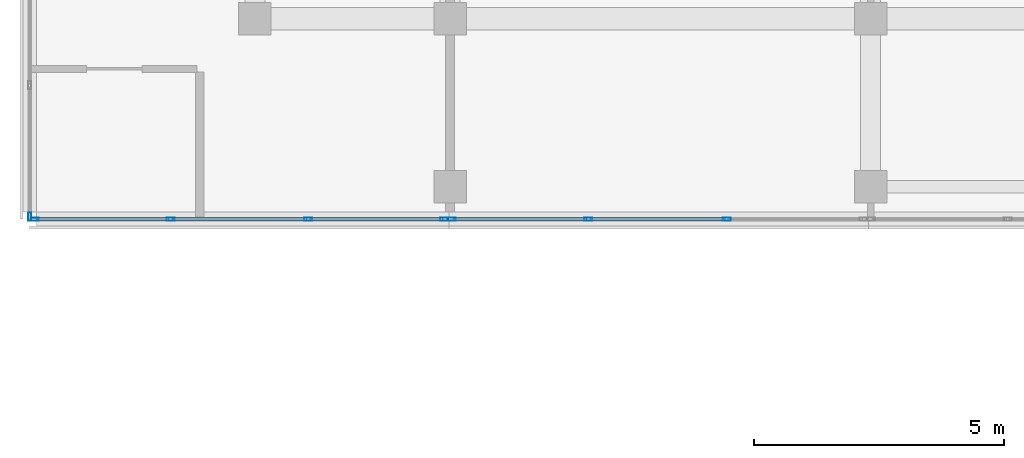
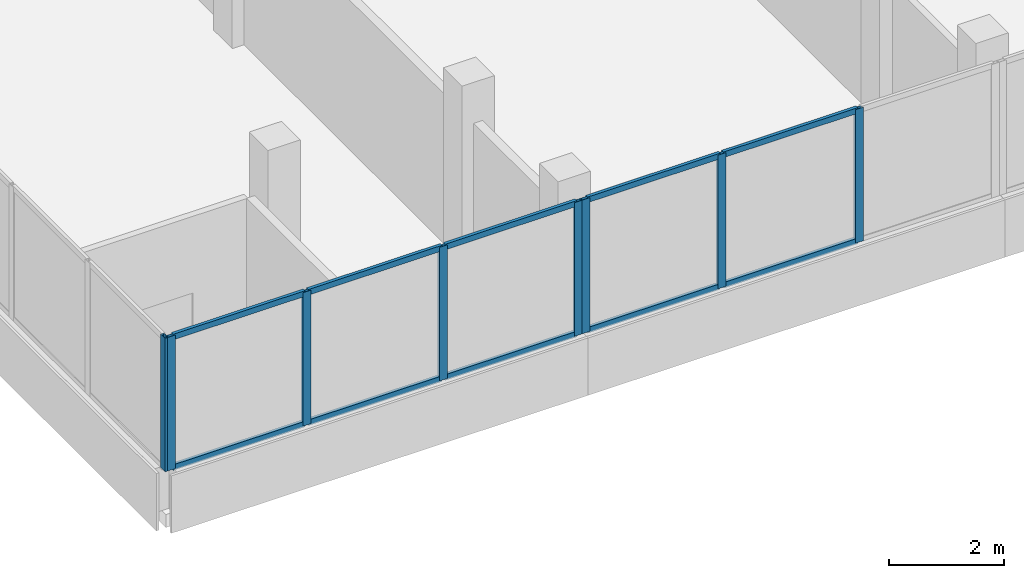
# One storey, part 2 of 76: 18 members, 3 elements without a shape of their own.
"""IFC4 building model written with IfcOpenShell, lengths in metres."""

from ifc_helpers import new_model, si_unit, direction, frame, origin, origin_2d, place, context, subcontext, project, spatial, hollow_rectangle, extrude, material, material_profile, profile_set, type_object, element, aggregate, save


model = new_model("IFC4")

# Units and contexts
model_context = context("Model", 3, precision=1e-05, world=origin(), true_north=direction((0.0, 1.0)))
body_context = subcontext(model_context, "Body", "Model", "MODEL_VIEW")
ifc_project = project(units=[si_unit("LENGTHUNIT", "METRE"), si_unit("AREAUNIT", "SQUARE_METRE"), si_unit("VOLUMEUNIT", "CUBIC_METRE"), si_unit("PLANEANGLEUNIT", "RADIAN"), si_unit("MASSUNIT", "GRAM", prefix="KILO")], contexts=[model_context])

# Site, building, storey
site_placement = place(None, origin())
site = spatial("IfcSite", under=ifc_project, at=site_placement, CompositionType="ELEMENT")
building_placement = place(site_placement, origin())
building = spatial("IfcBuilding", under=site, at=building_placement, Name="Selatvlak General Hospital", CompositionType="ELEMENT")
storey_placement = place(building_placement, frame((0.0, 0.0, 27.300048828125)))
storey = spatial("IfcBuildingStorey", under=building, at=storey_placement, Name="L06", CompositionType="ELEMENT", Elevation=27.300048828125)

# Curtain wall, member
ifc_material_1 = material(Name="Solar-control Low-E double glazing", Category="glass")
curtain_wall_type_1 = type_object("IfcCurtainWallType", Name="CW-CW-02", PredefinedType="USERDEFINED", material=ifc_material_1)
curtain_wall_1_placement = place(storey_placement, origin())
curtain_wall_1 = element("IfcCurtainWall", 1, at=curtain_wall_1_placement, inside=storey, type_object=curtain_wall_type_1, Name="Glazed facade curtain wall CW-L06-0594", ObjectType="UNITISED CURTAIN WALL", PredefinedType="USERDEFINED")
ifc_material_2 = material(Name="Dark anodised aluminium mullion", Category="aluminium")
ifc_material_profile_1 = material_profile(ifc_material_2, hollow_rectangle(XDim=0.06494140625, YDim=0.159912109375, WallThickness=0.00390625, at=origin_2d()), Name="AL-MUL 65x160x4")
ifc_profile_set_1 = profile_set([ifc_material_profile_1], Name="Dark anodised aluminium mullion")
member_type_1 = type_object("IfcMemberType", Name="CWM-01", PredefinedType="MULLION", material=ifc_profile_set_1)
member_1_placement = place(storey_placement, frame((22.800048828125, 88.047607421875, 0.93994140625), z_axis=(0.0, 0.0, 1.0), x_axis=(-1.0, 0.0, 0.0)))
member_1 = element("IfcMember", 2, at=member_1_placement, type_object=member_type_1, Name="CW-02 mullion 1", PredefinedType="MULLION", context=body_context, shape_type="SweptSolid", body=[
    extrude(hollow_rectangle(XDim=0.06494140625, YDim=0.159912109375, WallThickness=0.00390625, at=origin_2d()), origin(), (0.0, 0.0, 1.0), 2.840087890625),
])
aggregate(curtain_wall_1, [member_1])

# Curtain wall, members
curtain_wall_type_2 = type_object("IfcCurtainWallType", Name="CW-CW-01", PredefinedType="USERDEFINED", material=ifc_material_1)
curtain_wall_2_placement = place(storey_placement, origin())
curtain_wall_2 = element("IfcCurtainWall", 3, at=curtain_wall_2_placement, inside=storey, type_object=curtain_wall_type_2, Name="Glazed facade curtain wall CW-L06-0637", ObjectType="UNITISED CURTAIN WALL", PredefinedType="USERDEFINED")
member_2_placement = place(storey_placement, frame((36.7265625, 88.0, 0.93994140625), z_axis=(0.0, 0.0, 1.0), x_axis=(0.0, -1.0, 0.0)))
member_2 = element("IfcMember", 4, at=member_2_placement, type_object=member_type_1, Name="CW-01 mullion 2", PredefinedType="MULLION", context=body_context, shape_type="SweptSolid", body=[
    extrude(hollow_rectangle(XDim=0.06494140625, YDim=0.159912109375, WallThickness=0.00390625, at=origin_2d()), origin(), (0.0, 0.0, 1.0), 2.840087890625),
])
member_3_placement = place(storey_placement, frame((33.96044921875, 88.0, 0.93994140625), z_axis=(0.0, 0.0, 1.0), x_axis=(0.0, -1.0, 0.0)))
member_3 = element("IfcMember", 5, at=member_3_placement, type_object=member_type_1, Name="CW-01 mullion 3", PredefinedType="MULLION", context=body_context, shape_type="SweptSolid", body=[
    extrude(hollow_rectangle(XDim=0.06494140625, YDim=0.159912109375, WallThickness=0.00390625, at=origin_2d()), origin(), (0.0, 0.0, 1.0), 2.840087890625),
])
member_4_placement = place(storey_placement, frame((31.2265625, 88.0, 0.93994140625), z_axis=(0.0, 0.0, 1.0), x_axis=(0.0, -1.0, 0.0)))
member_4 = element("IfcMember", 6, at=member_4_placement, type_object=member_type_1, Name="CW-01 mullion 4", PredefinedType="MULLION", context=body_context, shape_type="SweptSolid", body=[
    extrude(hollow_rectangle(XDim=0.06494140625, YDim=0.159912109375, WallThickness=0.00390625, at=origin_2d()), origin(), (0.0, 0.0, 1.0), 2.840087890625),
])

curtain_wall_3_placement = place(storey_placement, origin())
curtain_wall_3 = element("IfcCurtainWall", 7, at=curtain_wall_3_placement, inside=storey, type_object=curtain_wall_type_1, Name="Glazed facade curtain wall CW-L06-0638", ObjectType="UNITISED CURTAIN WALL", PredefinedType="USERDEFINED")
member_5_placement = place(storey_placement, frame((31.08154296875, 88.0, 0.93994140625), z_axis=(0.0, 0.0, 1.0), x_axis=(0.0, -1.0, 0.0)))
member_5 = element("IfcMember", 8, at=member_5_placement, type_object=member_type_1, Name="CW-02 mullion 1", PredefinedType="MULLION", context=body_context, shape_type="SweptSolid", body=[
    extrude(hollow_rectangle(XDim=0.06494140625, YDim=0.159912109375, WallThickness=0.00390625, at=origin_2d()), origin(), (0.0, 0.0, 1.0), 2.840087890625),
])
member_6_placement = place(storey_placement, frame((28.3642578125, 88.0, 0.93994140625), z_axis=(0.0, 0.0, 1.0), x_axis=(0.0, -1.0, 0.0)))
member_6 = element("IfcMember", 9, at=member_6_placement, type_object=member_type_1, Name="CW-02 mullion 2", PredefinedType="MULLION", context=body_context, shape_type="SweptSolid", body=[
    extrude(hollow_rectangle(XDim=0.06494140625, YDim=0.159912109375, WallThickness=0.00390625, at=origin_2d()), origin(), (0.0, 0.0, 1.0), 2.840087890625),
])
member_7_placement = place(storey_placement, frame((25.61474609375, 88.0, 0.93994140625), z_axis=(0.0, 0.0, 1.0), x_axis=(0.0, -1.0, 0.0)))
member_7 = element("IfcMember", 10, at=member_7_placement, type_object=member_type_1, Name="CW-02 mullion 3", PredefinedType="MULLION", context=body_context, shape_type="SweptSolid", body=[
    extrude(hollow_rectangle(XDim=0.06494140625, YDim=0.159912109375, WallThickness=0.00390625, at=origin_2d()), origin(), (0.0, 0.0, 1.0), 2.840087890625),
])
member_8_placement = place(storey_placement, frame((22.8974609375, 88.0, 0.93994140625), z_axis=(0.0, 0.0, 1.0), x_axis=(0.0, -1.0, 0.0)))
member_8 = element("IfcMember", 11, at=member_8_placement, type_object=member_type_1, Name="CW-02 mullion 4", PredefinedType="MULLION", context=body_context, shape_type="SweptSolid", body=[
    extrude(hollow_rectangle(XDim=0.06494140625, YDim=0.159912109375, WallThickness=0.00390625, at=origin_2d()), origin(), (0.0, 0.0, 1.0), 2.840087890625),
])

# Member
ifc_material_profile_2 = material_profile(ifc_material_2, hollow_rectangle(XDim=0.06494140625, YDim=0.1201171875, WallThickness=0.00390625, at=origin_2d()), Name="AL-TRN 65x120x4")
ifc_profile_set_2 = profile_set([ifc_material_profile_2], Name="Dark anodised aluminium mullion")
member_type_2 = type_object("IfcMemberType", Name="CWT-01", PredefinedType="USERDEFINED", material=ifc_profile_set_2)
member_9_placement = place(storey_placement, frame((36.694091796875, 88.0, 0.972412109375), z_axis=(-1.0, 0.0, 0.0), x_axis=(0.0, -1.0, 0.0)))
member_9 = element("IfcMember", 12, at=member_9_placement, type_object=member_type_2, Name="CW-01 transom 2.1", ObjectType="TRANSOM", PredefinedType="USERDEFINED", context=body_context, shape_type="SweptSolid", body=[
    extrude(hollow_rectangle(XDim=0.06494140625, YDim=0.1201171875, WallThickness=0.00390625, at=origin_2d()), origin(), (0.0, 0.0, 1.0), 2.701171875),
])

member_10_placement = place(storey_placement, frame((36.694091796875, 88.0, 3.74755859375), z_axis=(-1.0, 0.0, 0.0), x_axis=(0.0, -1.0, 0.0)))
member_10 = element("IfcMember", 13, at=member_10_placement, type_object=member_type_2, Name="CW-01 transom 2.2", ObjectType="TRANSOM", PredefinedType="USERDEFINED", context=body_context, shape_type="SweptSolid", body=[
    extrude(hollow_rectangle(XDim=0.06494140625, YDim=0.1201171875, WallThickness=0.00390625, at=origin_2d()), origin(), (0.0, 0.0, 1.0), 2.701171875),
])

member_11_placement = place(storey_placement, frame((33.927734375, 88.0, 0.972412109375), z_axis=(-1.0, 0.0, 0.0), x_axis=(0.0, -1.0, 0.0)))
member_11 = element("IfcMember", 14, at=member_11_placement, type_object=member_type_2, Name="CW-01 transom 3.1", ObjectType="TRANSOM", PredefinedType="USERDEFINED", context=body_context, shape_type="SweptSolid", body=[
    extrude(hollow_rectangle(XDim=0.06494140625, YDim=0.1201171875, WallThickness=0.00390625, at=origin_2d()), origin(), (0.0, 0.0, 1.0), 2.668701171875),
])

member_12_placement = place(storey_placement, frame((33.927734375, 88.0, 3.74755859375), z_axis=(-1.0, 0.0, 0.0), x_axis=(0.0, -1.0, 0.0)))
member_12 = element("IfcMember", 15, at=member_12_placement, type_object=member_type_2, Name="CW-01 transom 3.2", ObjectType="TRANSOM", PredefinedType="USERDEFINED", context=body_context, shape_type="SweptSolid", body=[
    extrude(hollow_rectangle(XDim=0.06494140625, YDim=0.1201171875, WallThickness=0.00390625, at=origin_2d()), origin(), (0.0, 0.0, 1.0), 2.668701171875),
])

aggregate(curtain_wall_2, [member_2, member_3, member_4, member_9, member_10, member_11, member_12])

member_13_placement = place(storey_placement, frame((31.049072265625, 88.0, 0.972412109375), z_axis=(-1.0, 0.0, 0.0), x_axis=(0.0, -1.0, 0.0)))
member_13 = element("IfcMember", 16, at=member_13_placement, type_object=member_type_2, Name="CW-02 transom 1.1", ObjectType="TRANSOM", PredefinedType="USERDEFINED", context=body_context, shape_type="SweptSolid", body=[
    extrude(hollow_rectangle(XDim=0.06494140625, YDim=0.1201171875, WallThickness=0.00390625, at=origin_2d()), origin(), (0.0, 0.0, 1.0), 2.65234375),
])

member_14_placement = place(storey_placement, frame((31.049072265625, 88.0, 3.74755859375), z_axis=(-1.0, 0.0, 0.0), x_axis=(0.0, -1.0, 0.0)))
member_14 = element("IfcMember", 17, at=member_14_placement, type_object=member_type_2, Name="CW-02 transom 1.2", ObjectType="TRANSOM", PredefinedType="USERDEFINED", context=body_context, shape_type="SweptSolid", body=[
    extrude(hollow_rectangle(XDim=0.06494140625, YDim=0.1201171875, WallThickness=0.00390625, at=origin_2d()), origin(), (0.0, 0.0, 1.0), 2.65234375),
])

member_15_placement = place(storey_placement, frame((28.331787109375, 88.0, 0.972412109375), z_axis=(-1.0, 0.0, 0.0), x_axis=(0.0, -1.0, 0.0)))
member_15 = element("IfcMember", 18, at=member_15_placement, type_object=member_type_2, Name="CW-02 transom 2.1", ObjectType="TRANSOM", PredefinedType="USERDEFINED", context=body_context, shape_type="SweptSolid", body=[
    extrude(hollow_rectangle(XDim=0.06494140625, YDim=0.1201171875, WallThickness=0.00390625, at=origin_2d()), origin(), (0.0, 0.0, 1.0), 2.6845703125),
])

member_16_placement = place(storey_placement, frame((28.331787109375, 88.0, 3.74755859375), z_axis=(-1.0, 0.0, 0.0), x_axis=(0.0, -1.0, 0.0)))
member_16 = element("IfcMember", 19, at=member_16_placement, type_object=member_type_2, Name="CW-02 transom 2.2", ObjectType="TRANSOM", PredefinedType="USERDEFINED", context=body_context, shape_type="SweptSolid", body=[
    extrude(hollow_rectangle(XDim=0.06494140625, YDim=0.1201171875, WallThickness=0.00390625, at=origin_2d()), origin(), (0.0, 0.0, 1.0), 2.6845703125),
])

member_17_placement = place(storey_placement, frame((25.582275390625, 88.0, 0.972412109375), z_axis=(-1.0, 0.0, 0.0), x_axis=(0.0, -1.0, 0.0)))
member_17 = element("IfcMember", 20, at=member_17_placement, type_object=member_type_2, Name="CW-02 transom 3.1", ObjectType="TRANSOM", PredefinedType="USERDEFINED", context=body_context, shape_type="SweptSolid", body=[
    extrude(hollow_rectangle(XDim=0.06494140625, YDim=0.1201171875, WallThickness=0.00390625, at=origin_2d()), origin(), (0.0, 0.0, 1.0), 2.65234375),
])

member_18_placement = place(storey_placement, frame((25.582275390625, 88.0, 3.74755859375), z_axis=(-1.0, 0.0, 0.0), x_axis=(0.0, -1.0, 0.0)))
member_18 = element("IfcMember", 21, at=member_18_placement, type_object=member_type_2, Name="CW-02 transom 3.2", ObjectType="TRANSOM", PredefinedType="USERDEFINED", context=body_context, shape_type="SweptSolid", body=[
    extrude(hollow_rectangle(XDim=0.06494140625, YDim=0.1201171875, WallThickness=0.00390625, at=origin_2d()), origin(), (0.0, 0.0, 1.0), 2.65234375),
])

aggregate(curtain_wall_3, [member_5, member_6, member_7, member_8, member_13, member_14, member_15, member_16, member_17, member_18])

save(model, "model.ifc")
